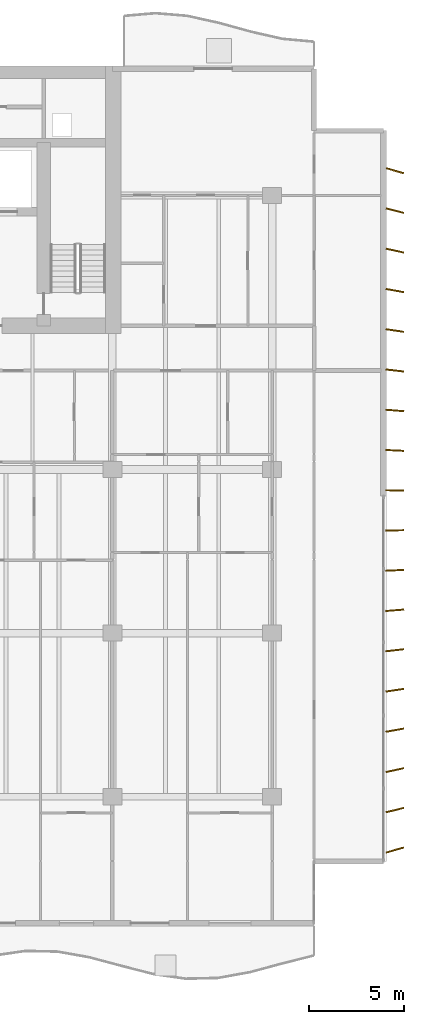
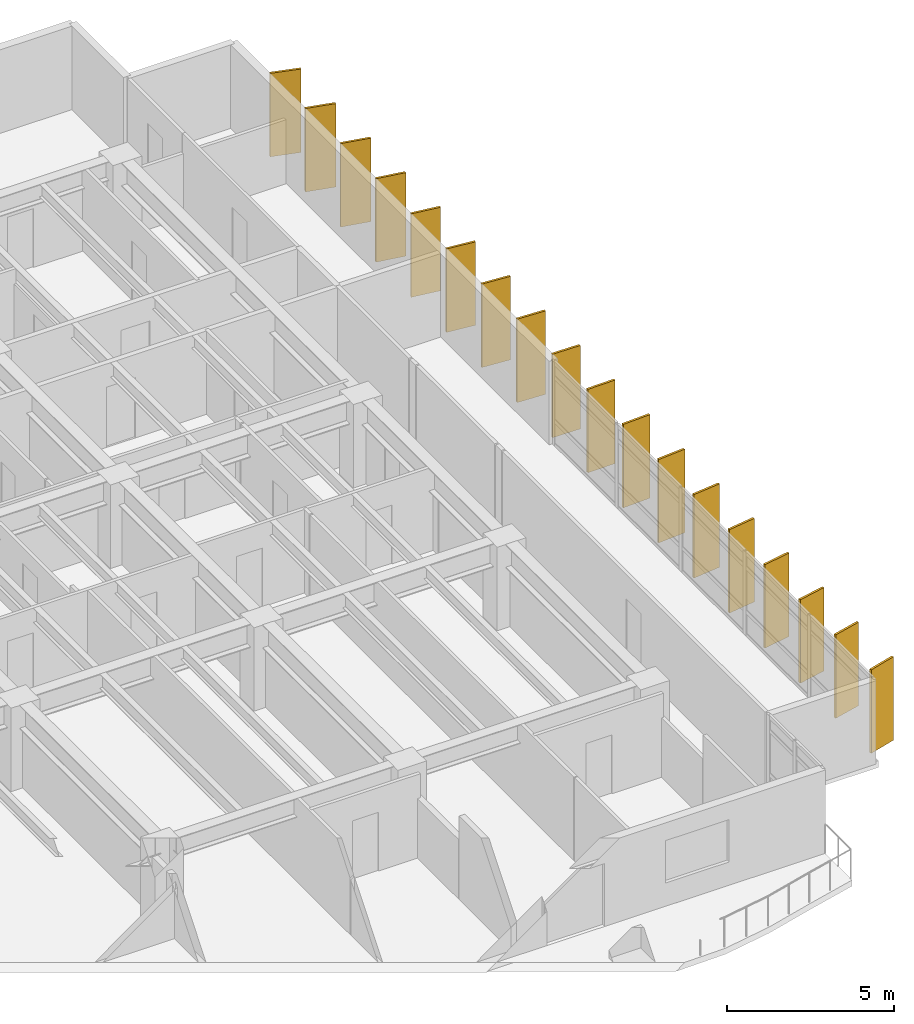
# One storey, part 17 of 17: 18 shading devices.
"""IFC4 building model written with IfcOpenShell, lengths in metres."""

import ifcopenshell
import ifcopenshell.guid

model = None  # the IFC model being written
_history = None  # IfcOwnerHistory: only IFC2X3 demands one
_inside = {}  # id of a spatial element -> (the spatial element, [elements in it])
_under = {}  # id of a project, library or spatial element -> (it, [spatial elements below it])
_declared = {}  # id of a project -> (the project, [libraries it declares])
_typed = {}  # id of a type object -> (the type object, [elements of that type])
_made_of = {}  # id of a material, layer set ... -> (it, [elements and type objects made of it])


def new_model(schema):
    """Start an empty IFC model of exactly this schema.

    Asked for "IFC4X3", IfcOpenShell would pick the latest addendum, in which some entities
    have other attributes; the version numbers below select the first issue.
    IFC2X3 requires an IfcOwnerHistory on every rooted entity: one is made here for all.
    """
    global model, _history
    if schema == "IFC4X3":
        model = ifcopenshell.file(schema_version=(4, 3, 0, 0))
    else:
        model = ifcopenshell.file(schema=schema)
    _inside.clear()
    _under.clear()
    _declared.clear()
    _typed.clear()
    _made_of.clear()
    _history = None
    if model.schema == "IFC2X3":
        org = make("IfcOrganization", Name="unknown")
        user = make(
            "IfcPersonAndOrganization",
            ThePerson=make("IfcPerson", FamilyName="unknown"),
            TheOrganization=org,
        )
        app = make(
            "IfcApplication",
            ApplicationDeveloper=org,
            Version="unknown",
            ApplicationFullName="unknown",
            ApplicationIdentifier="unknown",
        )
        _history = make(
            "IfcOwnerHistory",
            OwningUser=user,
            OwningApplication=app,
            ChangeAction="ADDED",
            CreationDate=0,
        )
    return model


def make(cls, **values):
    """One entity of the class cls with the attributes given. An attribute that is None is left unset."""
    return model.create_entity(
        cls, **{name: value for name, value in values.items() if value is not None}
    )


def rooted(cls, **values):
    """An entity with a GlobalId (a new one), such as an element, a storey or a relation."""
    return make(cls, GlobalId=ifcopenshell.guid.new(), OwnerHistory=_history, **values)


def si_unit(unit_type, name, prefix=None):
    """IfcSIUnit, for example si_unit("LENGTHUNIT", "METRE", prefix="MILLI")."""
    return make("IfcSIUnit", UnitType=unit_type, Prefix=prefix, Name=name)


def assignment(units):
    """IfcUnitAssignment: the units of a project."""
    return None if units is None else make("IfcUnitAssignment", Units=units)


def point(xyz):
    """IfcCartesianPoint."""
    return None if xyz is None else make("IfcCartesianPoint", Coordinates=xyz)


def direction(xyz):
    """IfcDirection."""
    return None if xyz is None else make("IfcDirection", DirectionRatios=xyz)


def frame(location, z_axis=None, x_axis=None):
    """IfcAxis2Placement3D, a coordinate frame: its origin and axes. An axis left out is left unset."""
    return make(
        "IfcAxis2Placement3D",
        Location=point(location),
        Axis=direction(z_axis),
        RefDirection=direction(x_axis),
    )


def frame_2d(location, x_axis=None):
    """IfcAxis2Placement2D, a coordinate frame in the plane: its origin and x axis."""
    return make(
        "IfcAxis2Placement2D", Location=point(location), RefDirection=direction(x_axis)
    )


def origin():
    """The frame at (0, 0, 0) with its axes left unset."""
    return frame((0.0, 0.0, 0.0))


def origin_2d():
    """The frame at (0, 0) in the plane with its x axis left unset."""
    return frame_2d((0.0, 0.0))


def place(relative_to, where):
    """IfcLocalPlacement: puts the frame where relative to a parent placement (None: the world)."""
    return make(
        "IfcLocalPlacement", PlacementRelTo=relative_to, RelativePlacement=where
    )


def context(
    kind, dimensions, precision=None, world=None, true_north=None, identifier=None
):
    """IfcGeometricRepresentationContext, for example the 3D "Model" context."""
    return make(
        "IfcGeometricRepresentationContext",
        ContextIdentifier=identifier,
        ContextType=kind,
        CoordinateSpaceDimension=dimensions,
        Precision=precision,
        WorldCoordinateSystem=world,
        TrueNorth=true_north,
    )


def subcontext(parent, identifier, kind, view, scale=None):
    """IfcGeometricRepresentationSubContext, for example "Body" below "Model"."""
    return make(
        "IfcGeometricRepresentationSubContext",
        ContextIdentifier=identifier,
        ContextType=kind,
        ParentContext=parent,
        TargetScale=scale,
        TargetView=view,
    )


def project(units=None, contexts=None):
    """IfcProject with its units and contexts."""
    return rooted(
        "IfcProject",
        Name="project",
        RepresentationContexts=contexts,
        UnitsInContext=assignment(units),
    )


def spatial(cls, under=None, at=None, **own):
    """A site, building, storey or space (cls), placed at a placement, below another one or the project."""
    s = rooted(cls, ObjectPlacement=at, **own)
    if under is not None:
        _under.setdefault(under.id(), (under, []))[1].append(s)
    return s


def profile(cls, at=None, kind="AREA", **sizes):
    """A parametric profile (cls). Its sizes go by their IFC names, for example OverallWidth=200.0."""
    return make(cls, ProfileType=kind, Position=at, **sizes)


def rectangle(**sizes):
    """IfcRectangleProfileDef."""
    return profile("IfcRectangleProfileDef", **sizes)


def extrude(swept, where, along, depth):
    """IfcExtrudedAreaSolid: the profile swept, set in the frame where, extruded along a direction by depth."""
    return make(
        "IfcExtrudedAreaSolid",
        SweptArea=swept,
        Position=where,
        ExtrudedDirection=direction(along),
        Depth=depth,
    )


def shape(context_of_items, identifier, shape_type, items):
    """IfcShapeRepresentation: the items that make up one representation, for example the "Body"."""
    return make(
        "IfcShapeRepresentation",
        ContextOfItems=context_of_items,
        RepresentationIdentifier=identifier,
        RepresentationType=shape_type,
        Items=items,
    )


def material(Name=None, Category=None):
    """IfcMaterial."""
    return make("IfcMaterial", Name=Name, Category=Category)


def material_profile(
    of_material, cross_section, Name=None, Category=None, Priority=None
):
    """IfcMaterialProfile: a cross section and its material."""
    return make(
        "IfcMaterialProfile",
        Name=Name,
        Material=of_material,
        Profile=cross_section,
        Priority=Priority,
        Category=Category,
    )


def profile_set(profiles, Name=None, composite=None):
    """IfcMaterialProfileSet."""
    return make(
        "IfcMaterialProfileSet",
        Name=Name,
        MaterialProfiles=profiles,
        CompositeProfile=composite,
    )


def made_of(thing, what):
    """Note that an element or type object is made of a material, layer set ...; save() writes the relation."""
    if what is not None:
        _made_of.setdefault(what.id(), (what, []))[1].append(thing)
    return thing


def type_object(cls, material=None, **own):
    """A type object (cls), such as IfcWallType, which elements share."""
    return made_of(rooted(cls, **own), material)


def element(
    cls,
    number,
    at=None,
    inside=None,
    cuts=None,
    type_object=None,
    material=None,
    context=None,
    identifier="Body",
    shape_type=None,
    held_by="IfcProductDefinitionShape",
    body=None,
    shapes=None,
    **own,
):
    """One element of the class cls, such as IfcWall. Its Tag is "e" and its number.

    at: its placement. inside: the storey or other place that contains it. cuts: it is an
    opening in that element (IfcRelVoidsElement). A single representation is given by context,
    identifier, shape_type and body (its items); several are given by shapes. held_by: the class
    of the entity that holds the representations. save() writes the other relations.
    """
    e = rooted(cls, Tag="e%d" % number, ObjectPlacement=at, **own)
    if body is not None:
        shapes = [shape(context, identifier, shape_type, body)]
    if shapes is not None:
        e.Representation = make(held_by, Representations=shapes)
    if inside is not None:
        _inside.setdefault(inside.id(), (inside, []))[1].append(e)
    if cuts is not None:
        rooted(
            "IfcRelVoidsElement", RelatingBuildingElement=cuts, RelatedOpeningElement=e
        )
    if type_object is not None:
        _typed.setdefault(type_object.id(), (type_object, []))[1].append(e)
    return made_of(e, material)


def aggregate(whole, parts):
    """IfcRelAggregates: a whole, such as a stair, and the parts it consists of."""
    return rooted("IfcRelAggregates", RelatingObject=whole, RelatedObjects=parts)


def save(model, path):
    """Write the relations noted so far, then the file.

    IfcRelAggregates (storeys below a building ...), IfcRelContainedInSpatialStructure (elements
    in a storey), IfcRelDefinesByType, IfcRelAssociatesMaterial and IfcRelDeclares: one each for
    every whole, place, type object, material and project.
    """
    for whole, parts in _under.values():
        aggregate(whole, parts)
    for where, things in _inside.values():
        rooted(
            "IfcRelContainedInSpatialStructure",
            RelatedElements=things,
            RelatingStructure=where,
        )
    for kind, things in _typed.values():
        rooted("IfcRelDefinesByType", RelatedObjects=things, RelatingType=kind)
    for what, things in _made_of.values():
        rooted("IfcRelAssociatesMaterial", RelatedObjects=things, RelatingMaterial=what)
    for by, libraries in _declared.values():
        rooted("IfcRelDeclares", RelatingContext=by, RelatedDefinitions=libraries)
    model.write(path)


model = new_model("IFC4")

# Units and contexts
model_context = context("Model", 3, precision=1e-05, world=origin(), true_north=direction((0.0, 1.0)))
body_context = subcontext(model_context, "Body", "Model", "MODEL_VIEW")
ifc_project = project(units=[si_unit("LENGTHUNIT", "METRE"), si_unit("AREAUNIT", "SQUARE_METRE"), si_unit("VOLUMEUNIT", "CUBIC_METRE"), si_unit("PLANEANGLEUNIT", "RADIAN"), si_unit("MASSUNIT", "GRAM", prefix="KILO")], contexts=[model_context])

# Site, building, storey
site_placement = place(None, origin())
site = spatial("IfcSite", under=ifc_project, at=site_placement, CompositionType="ELEMENT")
building_placement = place(site_placement, origin())
building = spatial("IfcBuilding", under=site, at=building_placement, Name="Caelmar Bay Residences", CompositionType="ELEMENT")
storey_placement = place(building_placement, frame((0.0, 0.0, 105.89990234375)))
storey = spatial("IfcBuildingStorey", under=building, at=storey_placement, Name="L28", CompositionType="ELEMENT", Elevation=105.89990234375)

# Shading devices
ifc_material = material(Name="Anodised architectural bronze aluminium 6063-T6", Category="aluminium")
ifc_material_profile = material_profile(ifc_material, rectangle(XDim=0.074951171875, YDim=0.949951171875, at=origin_2d()), Name="BRONZE-FIN-75X950")
ifc_profile_set = profile_set([ifc_material_profile], Name="Anodised architectural bronze aluminium 6063-T6")
shading_device_type = type_object("IfcShadingDeviceType", Name="SHD-FIN-950", PredefinedType="USERDEFINED", material=ifc_profile_set)
for number, where, z_axis, x_axis, name in (
    (1, (74.35009765625, 9.39990234375, 0.0), (0.0, 0.0, 1.0), (-0.275637355817, 0.961261695938, 0.0), "L28 East Bronze Solar Fin 1"),
    (2, (74.35009765625, 11.5, 0.0), (0.0, 0.0, 1.0), (-0.243953546137, 0.969786918517, 0.0), "L28 East Bronze Solar Fin 2"),
    (3, (74.35009765625, 13.60009765625, 0.0), (0.0, 0.0, 1.0), (-0.212007109922, 0.977268123568, 0.0), "L28 East Bronze Solar Fin 3"),
    (4, (74.35009765625, 15.699951171875, 0.0), (0.0, 0.0, 1.0), (-0.179660748593, 0.98372862895, 0.0), "L28 East Bronze Solar Fin 4"),
    (5, (74.35009765625, 17.800048828125, 0.0), (0.0, 0.0, 1.0), (-0.147291543397, 0.989093120613, 0.0), "L28 East Bronze Solar Fin 5"),
    (6, (74.35009765625, 19.89990234375, 0.0), (0.0, 0.0, 1.0), (-0.114763772489, 0.993392810787, 0.0), "L28 East Bronze Solar Fin 6"),
    (7, (74.35009765625, 22.0, 0.0), (0.0, 0.0, 1.0), (-0.08211245342, 0.996623070671, 0.0), "L28 East Bronze Solar Fin 7"),
    (8, (74.35009765625, 24.10009765625, 0.0), (0.0, 0.0, 1.0), (-0.049198415926, 0.998789024705, 0.0), "L28 East Bronze Solar Fin 8"),
    (9, (74.35009765625, 26.199951171875, 0.0), (0.0, 0.0, 1.0), (-0.016405359001, 0.999865423043, 0.0), "L28 East Bronze Solar Fin 9"),
    (10, (74.35009765625, 28.300048828125, 0.0), (0.0, 0.0, 1.0), (0.016405359001, 0.999865423043, 0.0), "L28 East Bronze Solar Fin 10"),
    (11, (74.35009765625, 30.39990234375, 0.0), (0.0, 0.0, 1.0), (0.049198415926, 0.998789024705, 0.0), "L28 East Bronze Solar Fin 11"),
    (12, (74.35009765625, 32.5, 0.0), (0.0, 0.0, 1.0), (0.08211245342, 0.996623070671, 0.0), "L28 East Bronze Solar Fin 12"),
    (13, (74.35009765625, 34.60009765625, 0.0), (0.0, 0.0, 1.0), (0.114763772489, 0.993392810787, 0.0), "L28 East Bronze Solar Fin 13"),
    (14, (74.35009765625, 36.699951171875, 0.0), (0.0, 0.0, 1.0), (0.147291543397, 0.989093120613, 0.0), "L28 East Bronze Solar Fin 14"),
    (15, (74.35009765625, 38.800048828125, 0.0), (0.0, 0.0, 1.0), (0.179660748593, 0.98372862895, 0.0), "L28 East Bronze Solar Fin 15"),
    (16, (74.35009765625, 40.89990234375, 0.0), (0.0, 0.0, 1.0), (0.212007109922, 0.977268123568, 0.0), "L28 East Bronze Solar Fin 16"),
    (17, (74.35009765625, 43.0, 0.0), (0.0, 0.0, 1.0), (0.243953546137, 0.969786918517, 0.0), "L28 East Bronze Solar Fin 17"),
    (18, (74.35009765625, 45.10009765625, 0.0), (0.0, 0.0, 1.0), (0.275637355817, 0.961261695938, 0.0), "L28 East Bronze Solar Fin 18"),
):
    element("IfcShadingDevice", number, at=place(storey_placement, frame(where, z_axis=z_axis, x_axis=x_axis)), inside=storey, type_object=shading_device_type, Name=name, ObjectType="FIN", PredefinedType="USERDEFINED", context=body_context, shape_type="SweptSolid", body=[
        extrude(rectangle(XDim=0.074951171875, YDim=0.949951171875, at=origin_2d()), origin(), (0.0, 0.0, 1.0), 3.050048828125),
    ])

save(model, "model.ifc")
